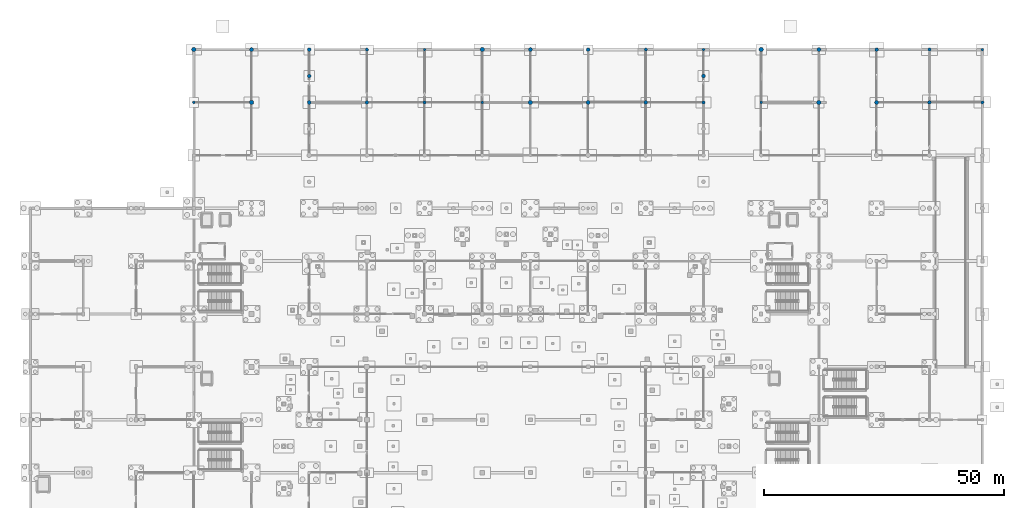
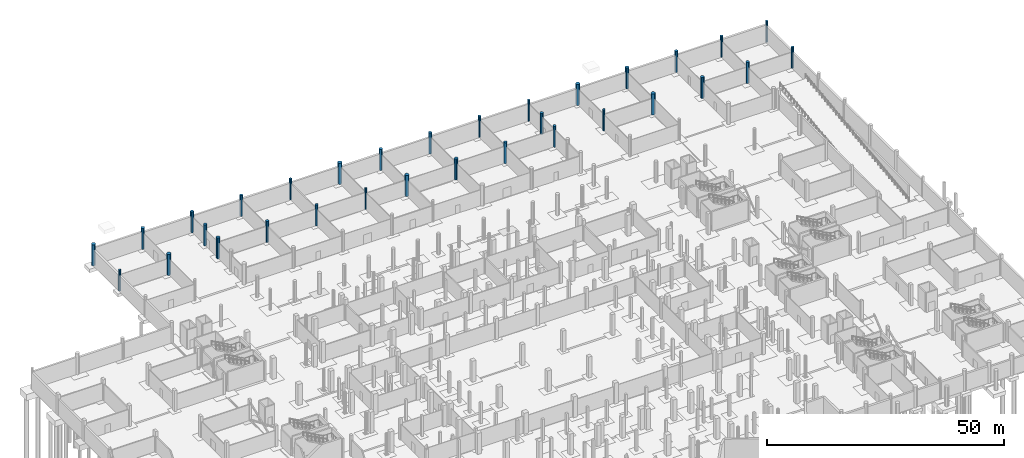
# One storey, part 23 of 60: 32 columns.
"""IFC4 building model written with IfcOpenShell, lengths in metres."""

from ifc_helpers import new_model, si_unit, direction, frame, origin, origin_2d, place, context, subcontext, project, spatial, circle, extrude, material, material_profile, profile_set, type_object, element, save


model = new_model("IFC4")

# Units and contexts
model_context = context("Model", 3, precision=1e-05, world=origin(), true_north=direction((0.0, 1.0)))
body_context = subcontext(model_context, "Body", "Model", "MODEL_VIEW")
ifc_project = project(units=[si_unit("LENGTHUNIT", "METRE"), si_unit("AREAUNIT", "SQUARE_METRE"), si_unit("VOLUMEUNIT", "CUBIC_METRE"), si_unit("PLANEANGLEUNIT", "RADIAN"), si_unit("MASSUNIT", "GRAM", prefix="KILO")], contexts=[model_context])

# Site, building, storey
site_placement = place(None, origin())
site = spatial("IfcSite", under=ifc_project, at=site_placement, CompositionType="ELEMENT")
building_placement = place(site_placement, origin())
building = spatial("IfcBuilding", under=site, at=building_placement, Name="Luwafu Chhajja Arena", CompositionType="ELEMENT")
storey_placement = place(building_placement, frame((0.0, 0.0, -5.39990234375)))
storey = spatial("IfcBuildingStorey", under=building, at=storey_placement, Name="B1", CompositionType="ELEMENT", Elevation=-5.39990234375)

# Columns
ifc_material_1 = material(Name="Concrete C35/45", Category="concrete")
ifc_material_profile_1 = material_profile(ifc_material_1, circle(Radius=0.375, at=origin_2d()), Name="RC COL D750")
ifc_profile_set_1 = profile_set([ifc_material_profile_1], Name="Concrete C35/45")
column_type_1 = type_object("IfcColumnType", Name="Charbagh Cloister Pier D750", PredefinedType="COLUMN", material=ifc_profile_set_1)
for number, where, z_axis, x_axis, name in (
    (1, (58.0, 132.0, 0.0), (0.0, 0.0, 1.0), (1.0, 0.0, 0.0), "B1 Grid Column 6/N"),
    (2, (70.0, 121.0, 0.0), (0.0, 0.0, 1.0), (1.0, 0.0, 0.0), "B1 Grid Column 7/M"),
    (3, (116.0, 132.0, 0.0), (0.0, 0.0, 1.0), (1.0, 0.0, 0.0), "B1 Grid Column 11/N"),
    (4, (128.0, 121.0, 0.0), (0.0, 0.0, 1.0), (1.0, 0.0, 0.0), "B1 Grid Column 12/M"),
    (5, (176.0, 132.0, 0.0), (0.0, 0.0, 1.0), (1.0, 0.0, 0.0), "B1 Grid Column 16/N"),
    (6, (187.0, 121.0, 0.0), (0.0, 0.0, 1.0), (1.0, 0.0, 0.0), "B1 Grid Column 17/M"),
    (7, (58.0, 126.5, 0.0), (0.0, 0.0, 1.0), (1.0, 0.0, 0.0), "B1 Mughal Riwaq Colonnade Pier CHW11"),
    (8, (140.0, 126.5, 0.0), (0.0, 0.0, 1.0), (1.0, 0.0, 0.0), "B1 Mughal Riwaq Colonnade Pier CHE11"),
):
    element("IfcColumn", number, at=place(storey_placement, frame(where, z_axis=z_axis, x_axis=x_axis)), inside=storey, type_object=column_type_1, Name=name, PredefinedType="COLUMN", context=body_context, shape_type="SweptSolid", body=[
        extrude(circle(Radius=0.375, at=origin_2d()), origin(), (0.0, 0.0, 1.0), 5.39990234375),
    ])
ifc_material_profile_2 = material_profile(ifc_material_1, circle(Radius=0.324951171875, at=origin_2d()), Name="RC COL D650")
ifc_profile_set_2 = profile_set([ifc_material_profile_2], Name="Concrete C35/45")
column_type_2 = type_object("IfcColumnType", Name="Courtyard Arcade Pier D650", PredefinedType="COLUMN", material=ifc_profile_set_2)
for number, where, z_axis, x_axis, name in (
    (9, (70.0, 132.0, 0.0), (0.0, 0.0, 1.0), (1.0, 0.0, 0.0), "B1 Grid Column 7/N"),
    (10, (82.0, 121.0, 0.0), (0.0, 0.0, 1.0), (1.0, 0.0, 0.0), "B1 Grid Column 8/M"),
    (11, (128.0, 132.0, 0.0), (0.0, 0.0, 1.0), (1.0, 0.0, 0.0), "B1 Grid Column 12/N"),
    (12, (140.0, 121.0, 0.0), (0.0, 0.0, 1.0), (1.0, 0.0, 0.0), "B1 Grid Column 13/M"),
    (13, (187.0, 132.0, 0.0), (0.0, 0.0, 1.0), (1.0, 0.0, 0.0), "B1 Grid Column 17/N"),
    (14, (198.0, 121.0, 0.0), (0.0, 0.0, 1.0), (1.0, 0.0, 0.0), "B1 Grid Column 18/M"),
):
    element("IfcColumn", number, at=place(storey_placement, frame(where, z_axis=z_axis, x_axis=x_axis)), inside=storey, type_object=column_type_2, Name=name, PredefinedType="COLUMN", context=body_context, shape_type="SweptSolid", body=[
        extrude(circle(Radius=0.324951171875, at=origin_2d()), origin(), (0.0, 0.0, 1.0), 5.39990234375),
    ])
ifc_material_2 = material(Name="Concrete C40/50", Category="concrete")
ifc_material_profile_3 = material_profile(ifc_material_2, circle(Radius=0.39990234375, at=origin_2d()), Name="RC COL D800")
ifc_profile_set_3 = profile_set([ifc_material_profile_3], Name="Concrete C40/50")
column_type_3 = type_object("IfcColumnType", Name="Foyer Rotunda Pier D800", PredefinedType="COLUMN", material=ifc_profile_set_3)
for number, where, z_axis, x_axis, name in (
    (15, (46.0, 132.0, 0.0), (0.0, 0.0, 1.0), (1.0, 0.0, 0.0), "B1 Grid Column 5/N"),
    (16, (58.0, 121.0, 0.0), (0.0, 0.0, 1.0), (1.0, 0.0, 0.0), "B1 Grid Column 6/M"),
    (17, (104.0, 132.0, 0.0), (0.0, 0.0, 1.0), (1.0, 0.0, 0.0), "B1 Grid Column 10/N"),
    (18, (116.0, 121.0, 0.0), (0.0, 0.0, 1.0), (1.0, 0.0, 0.0), "B1 Grid Column 11/M"),
    (19, (164.0, 132.0, 0.0), (0.0, 0.0, 1.0), (1.0, 0.0, 0.0), "B1 Grid Column 15/N"),
    (20, (176.0, 121.0, 0.0), (0.0, 0.0, 1.0), (1.0, 0.0, 0.0), "B1 Grid Column 16/M"),
):
    element("IfcColumn", number, at=place(storey_placement, frame(where, z_axis=z_axis, x_axis=x_axis)), inside=storey, type_object=column_type_3, Name=name, PredefinedType="COLUMN", context=body_context, shape_type="SweptSolid", body=[
        extrude(circle(Radius=0.39990234375, at=origin_2d()), origin(), (0.0, 0.0, 1.0), 5.39990234375),
    ])
ifc_material_profile_4 = material_profile(ifc_material_2, circle(Radius=0.449951171875, at=origin_2d()), Name="RC COL D900")
ifc_profile_set_4 = profile_set([ifc_material_profile_4], Name="Concrete C40/50")
column_type_4 = type_object("IfcColumnType", Name="Mughal Colonnade Drum Pier D900", PredefinedType="COLUMN", material=ifc_profile_set_4)
for number, where, z_axis, x_axis, name in (
    (21, (34.0, 132.0, 0.0), (0.0, 0.0, 1.0), (1.0, 0.0, 0.0), "B1 Grid Column 4/N"),
    (22, (46.0, 121.0, 0.0), (0.0, 0.0, 1.0), (1.0, 0.0, 0.0), "B1 Grid Column 5/M"),
    (23, (94.0, 132.0, 0.0), (0.0, 0.0, 1.0), (1.0, 0.0, 0.0), "B1 Grid Column 9/N"),
    (24, (104.0, 121.0, 0.0), (0.0, 0.0, 1.0), (1.0, 0.0, 0.0), "B1 Grid Column 10/M"),
    (25, (152.0, 132.0, 0.0), (0.0, 0.0, 1.0), (1.0, 0.0, 0.0), "B1 Grid Column 14/N"),
    (26, (164.0, 121.0, 0.0), (0.0, 0.0, 1.0), (1.0, 0.0, 0.0), "B1 Grid Column 15/M"),
):
    element("IfcColumn", number, at=place(storey_placement, frame(where, z_axis=z_axis, x_axis=x_axis)), inside=storey, type_object=column_type_4, Name=name, PredefinedType="COLUMN", context=body_context, shape_type="SweptSolid", body=[
        extrude(circle(Radius=0.449951171875, at=origin_2d()), origin(), (0.0, 0.0, 1.0), 5.39990234375),
    ])
ifc_material_profile_5 = material_profile(ifc_material_1, circle(Radius=0.27490234375, at=origin_2d()), Name="RC COL D550")
ifc_profile_set_5 = profile_set([ifc_material_profile_5], Name="Concrete C35/45")
column_type_5 = type_object("IfcColumnType", Name="Terrace Loggia Pier D550", PredefinedType="COLUMN", material=ifc_profile_set_5)
for number, where, z_axis, x_axis, name in (
    (27, (34.0, 121.0, 0.0), (0.0, 0.0, 1.0), (1.0, 0.0, 0.0), "B1 Grid Column 4/M"),
    (28, (82.0, 132.0, 0.0), (0.0, 0.0, 1.0), (1.0, 0.0, 0.0), "B1 Grid Column 8/N"),
    (29, (94.0, 121.0, 0.0), (0.0, 0.0, 1.0), (1.0, 0.0, 0.0), "B1 Grid Column 9/M"),
    (30, (140.0, 132.0, 0.0), (0.0, 0.0, 1.0), (1.0, 0.0, 0.0), "B1 Grid Column 13/N"),
    (31, (152.0, 121.0, 0.0), (0.0, 0.0, 1.0), (1.0, 0.0, 0.0), "B1 Grid Column 14/M"),
    (32, (198.0, 132.0, 0.0), (0.0, 0.0, 1.0), (1.0, 0.0, 0.0), "B1 Grid Column 18/N"),
):
    element("IfcColumn", number, at=place(storey_placement, frame(where, z_axis=z_axis, x_axis=x_axis)), inside=storey, type_object=column_type_5, Name=name, PredefinedType="COLUMN", context=body_context, shape_type="SweptSolid", body=[
        extrude(circle(Radius=0.27490234375, at=origin_2d()), origin(), (0.0, 0.0, 1.0), 5.39990234375),
    ])

save(model, "model.ifc")
